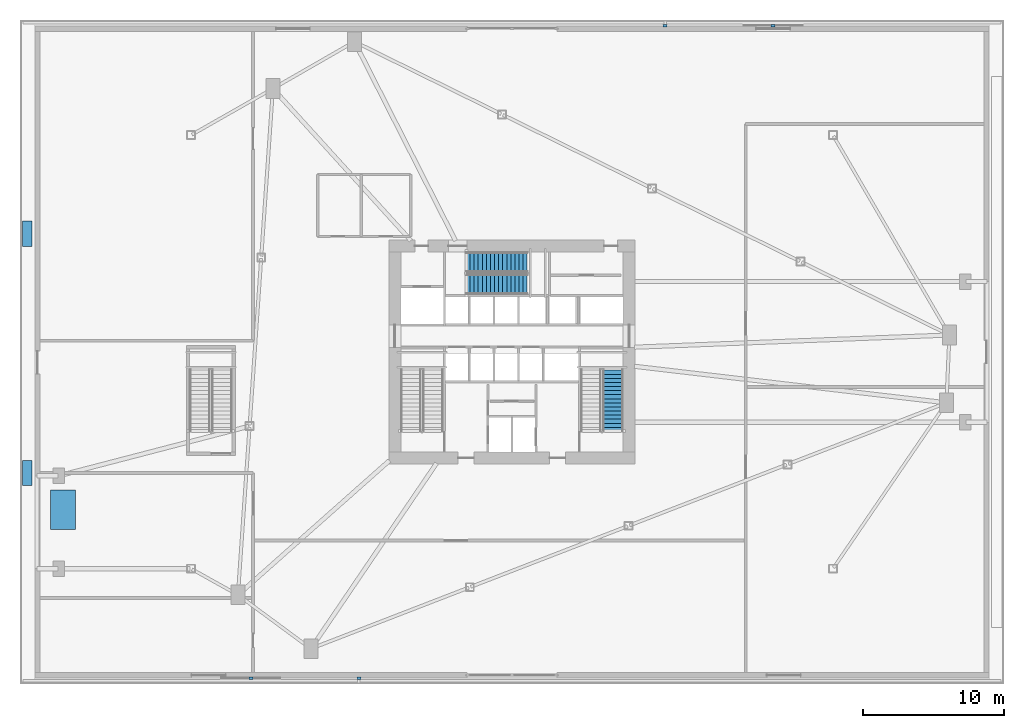
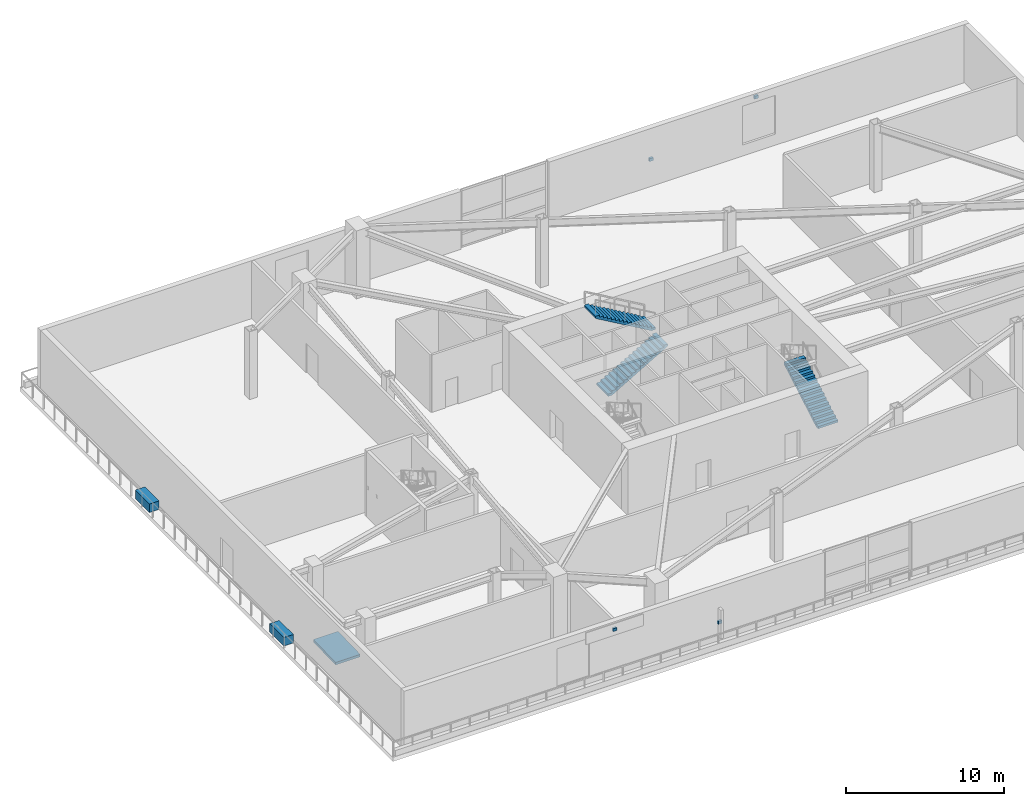
# One storey, part 11 of 15: 6 discrete accessories, 3 stair flights, 1 ramp flight, 3 elements without a shape of their own.
"""IFC4 building model written with IfcOpenShell, lengths in metres."""

from ifc_helpers import new_model, si_unit, direction, frame, origin, origin_2d, place, context, subcontext, project, spatial, polyline, rectangle, outline, extrude, source, transform, mapped, material, layer, layer_set, type_object, element, aggregate, save


model = new_model("IFC4")

# Units and contexts
model_context = context("Model", 3, precision=1e-05, world=origin(), true_north=direction((0.0, 1.0)))
body_context = subcontext(model_context, "Body", "Model", "MODEL_VIEW")
ifc_project = project(units=[si_unit("LENGTHUNIT", "METRE"), si_unit("AREAUNIT", "SQUARE_METRE"), si_unit("VOLUMEUNIT", "CUBIC_METRE"), si_unit("PLANEANGLEUNIT", "RADIAN"), si_unit("MASSUNIT", "GRAM", prefix="KILO")], contexts=[model_context])

# Site, building, storey
site_placement = place(None, origin())
site = spatial("IfcSite", under=ifc_project, at=site_placement, CompositionType="ELEMENT")
building_placement = place(site_placement, origin())
building = spatial("IfcBuilding", under=site, at=building_placement, Name="Olszyna Solenne Hotel", CompositionType="ELEMENT")
storey_placement = place(building_placement, frame((0.0, 0.0, 10.199951171875)))
storey = spatial("IfcBuildingStorey", under=building, at=storey_placement, Name="L02", CompositionType="ELEMENT", Elevation=10.199951171875)

# Stair, stair flight
ifc_material_1 = material(Name="Concrete C40/50", Category="concrete")
stair_type = type_object("IfcStairType", Name="STR-C1", PredefinedType="TWO_QUARTER_WINDING_STAIR", material=ifc_material_1)
stair_1_placement = place(storey_placement, origin())
stair_1 = element("IfcStair", 1, at=stair_1_placement, inside=storey, type_object=stair_type, Name="L02 ST2", PredefinedType="TWO_QUARTER_WINDING_STAIR")
stair_flight_type = type_object("IfcStairFlightType", Name="FLT-C1", PredefinedType="STRAIGHT", material=ifc_material_1)
stair_flight_1_placement = place(storey_placement, frame((45.175048828125, 20.949951171875, 0.0), z_axis=(0.0, 0.0, 1.0), x_axis=(0.0, 1.0, 0.0)))
stair_flight_1 = element("IfcStairFlight", 2, at=stair_flight_1_placement, type_object=stair_flight_type, Name="ST2 flight 1", NumberOfRisers=16, NumberOfTreads=15, PredefinedType="STRAIGHT", RiserHeight=0.16875, TreadLength=0.29, context=body_context, shape_type="SweptSolid", body=[
    extrude(outline(polyline([(0.0, 0.0), (0.0, 0.168701171875), (0.2900390625, 0.168701171875), (0.2900390625, 0.33740234375), (0.580078125, 0.33740234375), (0.580078125, 0.50634765625), (0.8701171875, 0.50634765625), (0.8701171875, 0.675048828125), (1.159912109375, 0.675048828125), (1.159912109375, 0.84375), (1.449951171875, 0.84375), (1.449951171875, 1.012451171875), (1.739990234375, 1.012451171875), (1.739990234375, 1.18115234375), (2.030029296875, 1.18115234375), (2.030029296875, 1.35009765625), (2.320068359375, 1.35009765625), (2.320068359375, 1.518798828125), (2.610107421875, 1.518798828125), (2.610107421875, 1.6875), (2.89990234375, 1.6875), (2.89990234375, 1.856201171875), (3.18994140625, 1.856201171875), (3.18994140625, 2.02490234375), (3.47998046875, 2.02490234375), (3.47998046875, 2.19384765625), (3.77001953125, 2.19384765625), (3.77001953125, 2.362548828125), (4.06005859375, 2.362548828125), (4.06005859375, 2.53125), (4.35009765625, 2.53125), (4.35009765625, 2.699951171875), (4.35009765625, 2.35791015625), (0.298095703125, 0.0), (0.0, 0.0)])), frame((0.0, 0.72509765625, 0.0), z_axis=(0.0, -1.0, 0.0), x_axis=(1.0, 0.0, 0.0)), (0.0, 0.0, 1.0), 1.449951171875),
])
aggregate(stair_1, [stair_flight_1])

# Stair, stair flights
stair_2_placement = place(storey_placement, origin())
stair_2 = element("IfcStair", 3, at=stair_2_placement, inside=storey, type_object=stair_type, Name="L02 ST3", PredefinedType="TWO_QUARTER_WINDING_STAIR")
stair_flight_2_placement = place(storey_placement, frame((34.72998046875, 31.405029296875, 0.0), z_axis=(0.0, 0.0, 1.0), x_axis=(1.0, 0.0, 0.0)))
stair_flight_2 = element("IfcStairFlight", 4, at=stair_flight_2_placement, type_object=stair_flight_type, Name="ST3 flight 1", NumberOfRisers=16, NumberOfTreads=15, PredefinedType="STRAIGHT", RiserHeight=0.16875, TreadLength=0.29, context=body_context, shape_type="SweptSolid", body=[
    extrude(outline(polyline([(0.0, 0.0), (0.0, 0.168701171875), (0.2900390625, 0.168701171875), (0.2900390625, 0.33740234375), (0.580078125, 0.33740234375), (0.580078125, 0.50634765625), (0.8701171875, 0.50634765625), (0.8701171875, 0.675048828125), (1.159912109375, 0.675048828125), (1.159912109375, 0.84375), (1.449951171875, 0.84375), (1.449951171875, 1.012451171875), (1.739990234375, 1.012451171875), (1.739990234375, 1.18115234375), (2.030029296875, 1.18115234375), (2.030029296875, 1.35009765625), (2.320068359375, 1.35009765625), (2.320068359375, 1.518798828125), (2.610107421875, 1.518798828125), (2.610107421875, 1.6875), (2.89990234375, 1.6875), (2.89990234375, 1.856201171875), (3.18994140625, 1.856201171875), (3.18994140625, 2.02490234375), (3.47998046875, 2.02490234375), (3.47998046875, 2.19384765625), (3.77001953125, 2.19384765625), (3.77001953125, 2.362548828125), (4.06005859375, 2.362548828125), (4.06005859375, 2.53125), (4.35009765625, 2.53125), (4.35009765625, 2.699951171875), (4.35009765625, 2.35791015625), (0.298095703125, 0.0), (0.0, 0.0)])), frame((0.0, 0.72509765625, 0.0), z_axis=(0.0, -1.0, 0.0), x_axis=(1.0, 0.0, 0.0)), (0.0, 0.0, 1.0), 1.449951171875),
])
stair_flight_3_placement = place(storey_placement, frame((39.080078125, 32.97509765625, 2.699951171875), z_axis=(0.0, 0.0, 1.0), x_axis=(-1.0, 0.0, 0.0)))
stair_flight_3 = element("IfcStairFlight", 5, at=stair_flight_3_placement, type_object=stair_flight_type, Name="ST3 flight 2", NumberOfRisers=16, NumberOfTreads=15, PredefinedType="STRAIGHT", RiserHeight=0.16875, TreadLength=0.29, context=body_context, shape_type="SweptSolid", body=[
    extrude(outline(polyline([(0.0, 0.0), (0.0, 0.168701171875), (0.2900390625, 0.168701171875), (0.2900390625, 0.33740234375), (0.580078125, 0.33740234375), (0.580078125, 0.50634765625), (0.8701171875, 0.50634765625), (0.8701171875, 0.675048828125), (1.159912109375, 0.675048828125), (1.159912109375, 0.84375), (1.449951171875, 0.84375), (1.449951171875, 1.012451171875), (1.739990234375, 1.012451171875), (1.739990234375, 1.18115234375), (2.030029296875, 1.18115234375), (2.030029296875, 1.35009765625), (2.320068359375, 1.35009765625), (2.320068359375, 1.518798828125), (2.610107421875, 1.518798828125), (2.610107421875, 1.6875), (2.89990234375, 1.6875), (2.89990234375, 1.856201171875), (3.18994140625, 1.856201171875), (3.18994140625, 2.02490234375), (3.47998046875, 2.02490234375), (3.47998046875, 2.19384765625), (3.77001953125, 2.19384765625), (3.77001953125, 2.362548828125), (4.06005859375, 2.362548828125), (4.06005859375, 2.53125), (4.35009765625, 2.53125), (4.35009765625, 2.699951171875), (4.35009765625, 2.35791015625), (0.298095703125, 0.0), (0.0, 0.0)])), frame((0.0, 0.72509765625, 0.0), z_axis=(0.0, -1.0, 0.0), x_axis=(1.0, 0.0, 0.0)), (0.0, 0.0, 1.0), 1.449951171875),
])
aggregate(stair_2, [stair_flight_2, stair_flight_3])

# Ramp, ramp flight
ramp_type = type_object("IfcRampType", Name="RMP-PED", PredefinedType="STRAIGHT_RUN_RAMP", material=ifc_material_1)
ramp_placement = place(storey_placement, origin())
ramp = element("IfcRamp", 6, at=ramp_placement, inside=storey, type_object=ramp_type, Name="L02 cascading terrace accessible garden ramp RMP-P04", PredefinedType="STRAIGHT_RUN_RAMP")
ifc_layer = layer(ifc_material_1, 0.199951171875, Name="Concrete C40/50")
ifc_layer_set = layer_set([ifc_layer], Name="Concrete C40/50")
ramp_flight_type = type_object("IfcRampFlightType", Name="RFL-PED", PredefinedType="STRAIGHT", material=ifc_layer_set)
ramp_flight_placement = place(storey_placement, frame((5.199951171875, 14.0, -0.079833984375), z_axis=(0.0, -0.028500058384, 0.999593790833), x_axis=(1.0, 0.0, 0.0)))
ramp_flight = element("IfcRampFlight", 7, at=ramp_flight_placement, type_object=ramp_flight_type, Name="Accessible ramp flight RFL-P04", PredefinedType="STRAIGHT", context=body_context, shape_type="SweptSolid", body=[
    extrude(outline(polyline([(0.0, 0.0), (1.800048828125, 0.0), (1.800048828125, 2.8011866958389926), (0.0, 2.8011866958389926), (0.0, 0.0)])), origin(), (0.0, 0.0, -1.0), 0.199951171875),
])
aggregate(ramp, [ramp_flight])

# Discrete accessories
ifc_material_2 = material(Name="Steel S355J2", Category="steel")
discrete_accessory_type_1 = type_object("IfcDiscreteAccessoryType", Name="BRK-01", PredefinedType="BRACKET", material=ifc_material_2)
shared_shape_1 = source(origin(), body_context, "Body", "SweptSolid", [
    extrude(rectangle(XDim=0.280029296875, YDim=0.159912109375, at=origin_2d()), origin(), (0.0, 0.0, 1.0), 0.219970703125),
])
for number, where, z_axis, x_axis, name in (
    (8, (19.449951171875, 3.425048828125, 3.81201171875), (0.0, 0.0, 1.0), (-1.0, 0.0, 0.0), "Facade support bracket BRK-CD-L02-SW"),
    (9, (27.125, 3.425048828125, 1.68994140625), (0.0, 0.0, 1.0), (-1.0, 0.0, 0.0), "Facade support bracket BRK-FN-L02-SW"),
    (10, (56.550048828125, 49.77490234375, 3.81201171875), (0.0, 0.0, 1.0), (1.0, 0.0, 0.0), "Facade support bracket BRK-CD-L02-NE"),
    (11, (48.875, 49.77490234375, 1.68994140625), (0.0, 0.0, 1.0), (1.0, 0.0, 0.0), "Facade support bracket BRK-FN-L02-NE"),
):
    element("IfcDiscreteAccessory", number, at=place(storey_placement, frame(where, z_axis=z_axis, x_axis=x_axis)), inside=storey, type_object=discrete_accessory_type_1, Name=name, PredefinedType="BRACKET", context=body_context, shape_type="MappedRepresentation", body=[
        mapped(shared_shape_1, transform((0.0, 0.0, 0.0), x_axis=(1.0, 0.0, 0.0), y_axis=(0.0, 1.0, 0.0), z_axis=(0.0, 0.0, 1.0), scale=1.0)),
    ])
ifc_material_3 = material(Name="Precast concrete C45/55", Category="concrete")
discrete_accessory_type_2 = type_object("IfcDiscreteAccessoryType", Name="PLN-01", PredefinedType="USERDEFINED", material=ifc_material_3)
shared_shape_2 = source(origin(), body_context, "Body", "SweptSolid", [
    extrude(rectangle(XDim=1.800048828125, YDim=0.699951171875, at=origin_2d()), origin(), (0.0, 0.0, 1.0), 0.64990234375),
])
for number, where, z_axis, x_axis, name in (
    (12, (3.570068359375, 18.0, 0.0), (0.0, 0.0, 1.0), (0.0, 1.0, 0.0), "Terrace planted structural planter PLN-L02-1"),
    (13, (3.570068359375, 35.0, 0.0), (0.0, 0.0, 1.0), (0.0, 1.0, 0.0), "Terrace planted structural planter PLN-L02-2"),
):
    element("IfcDiscreteAccessory", number, at=place(storey_placement, frame(where, z_axis=z_axis, x_axis=x_axis)), inside=storey, type_object=discrete_accessory_type_2, Name=name, ObjectType="PLANTER", PredefinedType="USERDEFINED", context=body_context, shape_type="MappedRepresentation", body=[
        mapped(shared_shape_2, transform((0.0, 0.0, 0.0), x_axis=(1.0, 0.0, 0.0), y_axis=(0.0, 1.0, 0.0), z_axis=(0.0, 0.0, 1.0), scale=1.0)),
    ])

save(model, "model.ifc")
